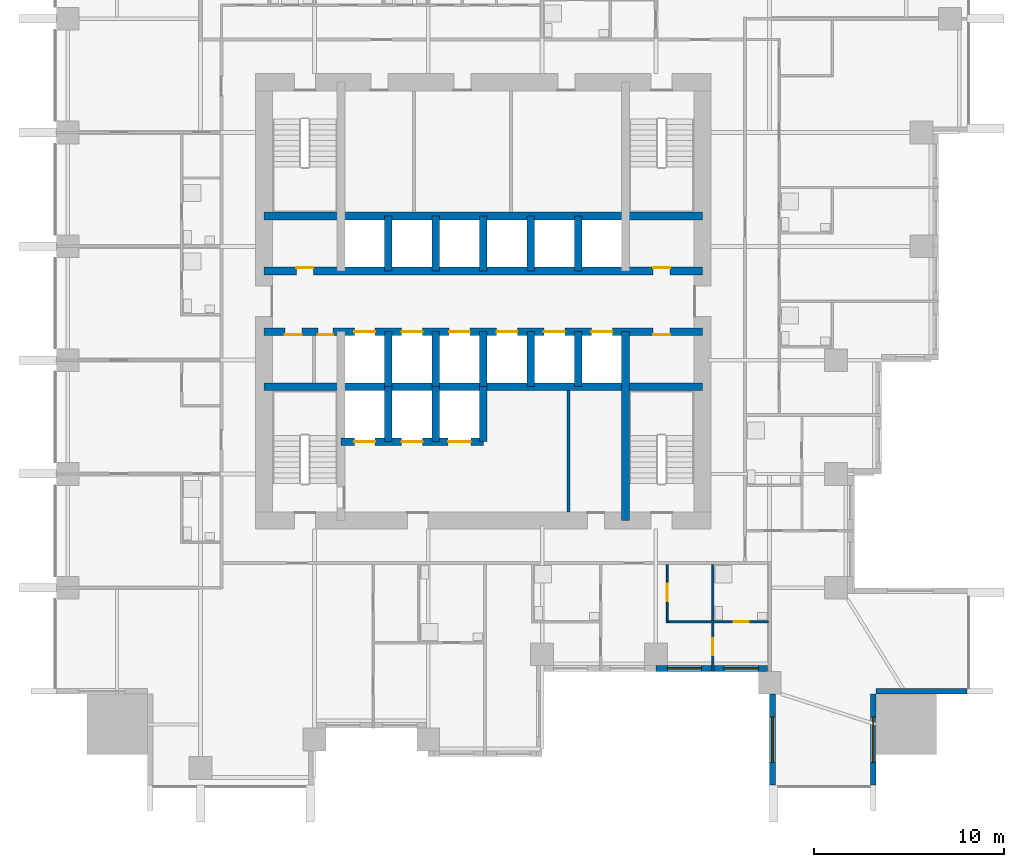
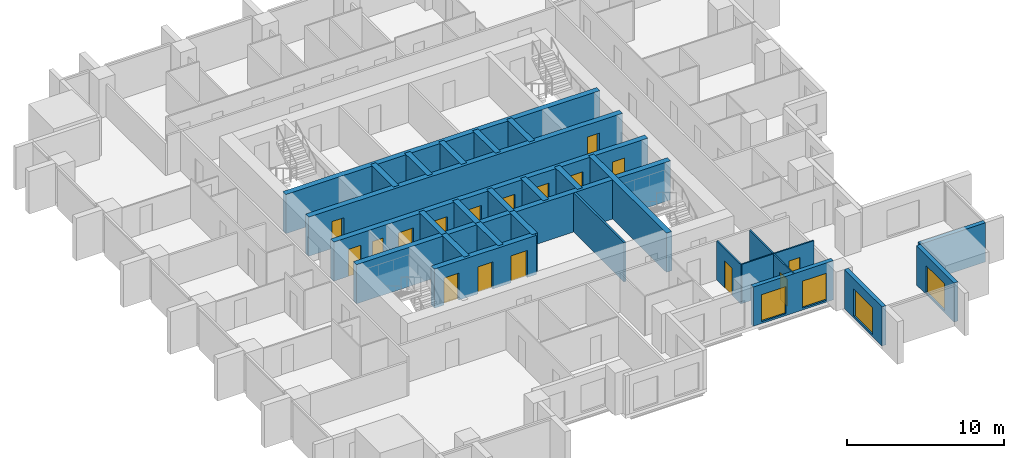
# One storey, part 5 of 10: 27 walls, 17 doors, 4 windows, 21 openings.
"""IFC4 building model written with IfcOpenShell, lengths in metres."""

from ifc_helpers import new_model, si_unit, direction, frame, frame_2d, origin, place, context, subcontext, project, spatial, rectangle, extrude, material, layer, layer_set, type_object, element, fill, save


model = new_model("IFC4")

# Units and contexts
model_context = context("Model", 3, precision=1e-05, world=origin(), true_north=direction((0.0, 1.0)))
body_context = subcontext(model_context, "Body", "Model", "MODEL_VIEW")
ifc_project = project(units=[si_unit("LENGTHUNIT", "METRE"), si_unit("AREAUNIT", "SQUARE_METRE"), si_unit("VOLUMEUNIT", "CUBIC_METRE"), si_unit("PLANEANGLEUNIT", "RADIAN"), si_unit("MASSUNIT", "GRAM", prefix="KILO")], contexts=[model_context])

# Site, building, storey
site_placement = place(None, origin())
site = spatial("IfcSite", under=ifc_project, at=site_placement, CompositionType="ELEMENT")
building_placement = place(site_placement, origin())
building = spatial("IfcBuilding", under=site, at=building_placement, Name="Amberfall Residences", CompositionType="ELEMENT")
storey_placement = place(building_placement, frame((0.0, 0.0, 49.89990234375)))
storey = spatial("IfcBuildingStorey", under=building, at=storey_placement, Name="L13", CompositionType="ELEMENT", Elevation=49.89990234375)

# Wall, opening, window
ifc_material_1 = material(Name="Pale stone cladding on insulated backing", Category="masonry")
ifc_layer_1 = layer(ifc_material_1, 0.300048828125)
ifc_layer_set_1 = layer_set([ifc_layer_1], Name="Bronze clad wall 300")
wall_type_1 = type_object("IfcWallType", Name="Bronze clad wall 300", PredefinedType="SOLIDWALL", material=ifc_layer_set_1)
wall_1_placement = place(storey_placement, frame((89.75, 24.800048828125, 0.0), z_axis=(0.0, 0.0, 1.0), x_axis=(0.0, -1.0, 0.0)))
wall_1 = element("IfcWall", 1, at=wall_1_placement, inside=storey, type_object=wall_type_1, Name="External wall L13 S", PredefinedType="SOLIDWALL", context=body_context, shape_type="SweptSolid", body=[
    extrude(rectangle(XDim=4.800048828125, YDim=0.300048828125, at=frame_2d((2.39990234375, 0.0))), origin(), (0.0, 0.0, 1.0), 3.050048828125),
])
opening_1_placement = place(wall_1_placement, frame((1.199951171875, 0.0, 0.14990234375)))
opening_1 = element("IfcOpeningElement", 2, at=opening_1_placement, cuts=wall_1, Name="Opening WN5", PredefinedType="OPENING", context=body_context, shape_type="SweptSolid", body=[
    extrude(rectangle(XDim=2.39990234375, YDim=2.10009765625, at=frame_2d((1.199951171875, 1.050048828125))), frame((0.0, 0.159912109375, 0.0), z_axis=(0.0, -1.0, 0.0), x_axis=(1.0, 0.0, 0.0)), (0.0, 0.0, 1.0), 0.320068359375),
])
ifc_material_2 = material(Name="Bronze aluminium framed glazing", Category="aluminium")
window_type_1 = type_object("IfcWindowType", Name="Glazed opening 2400 x 2100 bronze", PartitioningType="DOUBLE_PANEL_VERTICAL", PredefinedType="WINDOW", material=ifc_material_2)
window_1_placement = place(opening_1_placement, origin())
window_1 = element("IfcWindow", 3, at=window_1_placement, inside=storey, type_object=window_type_1, Name="Window L13 S", OverallHeight=2.10009765625, OverallWidth=2.39990234375, PartitioningType="DOUBLE_PANEL_VERTICAL", PredefinedType="WINDOW", context=body_context, shape_type="SweptSolid", body=[
    extrude(rectangle(XDim=2.39990234375, YDim=2.10009765625, at=frame_2d((1.199951171875, 1.050048828125))), frame((0.0, 0.030029296875, 0.0), z_axis=(0.0, -1.0, 0.0), x_axis=(1.0, 0.0, 0.0)), (0.0, 0.0, 1.0), 0.06005859375),
])
fill(opening_1, window_1)

wall_2_placement = place(storey_placement, frame((95.050048828125, 20.0, 0.0), z_axis=(0.0, 0.0, 1.0), x_axis=(0.0, 1.0, 0.0)))
wall_2 = element("IfcWall", 4, at=wall_2_placement, inside=storey, type_object=wall_type_1, Name="External wall L13 SE", PredefinedType="SOLIDWALL", context=body_context, shape_type="SweptSolid", body=[
    extrude(rectangle(XDim=4.800048828125, YDim=0.300048828125, at=frame_2d((2.39990234375, 0.0))), origin(), (0.0, 0.0, 1.0), 3.050048828125),
])
opening_2_placement = place(wall_2_placement, frame((1.199951171875, 0.0, 0.14990234375)))
opening_2 = element("IfcOpeningElement", 5, at=opening_2_placement, cuts=wall_2, Name="Opening WN5", PredefinedType="OPENING", context=body_context, shape_type="SweptSolid", body=[
    extrude(rectangle(XDim=2.39990234375, YDim=2.10009765625, at=frame_2d((1.199951171875, 1.050048828125))), frame((0.0, 0.159912109375, 0.0), z_axis=(0.0, -1.0, 0.0), x_axis=(1.0, 0.0, 0.0)), (0.0, 0.0, 1.0), 0.320068359375),
])
window_2_placement = place(opening_2_placement, origin())
window_2 = element("IfcWindow", 6, at=window_2_placement, inside=storey, type_object=window_type_1, Name="Window L13 SE", OverallHeight=2.10009765625, OverallWidth=2.39990234375, PartitioningType="DOUBLE_PANEL_VERTICAL", PredefinedType="WINDOW", context=body_context, shape_type="SweptSolid", body=[
    extrude(rectangle(XDim=2.39990234375, YDim=2.10009765625, at=frame_2d((1.199951171875, 1.050048828125))), frame((0.0, 0.030029296875, 0.0), z_axis=(0.0, -1.0, 0.0), x_axis=(1.0, 0.0, 0.0)), (0.0, 0.0, 1.0), 0.06005859375),
])
fill(opening_2, window_2)

# Wall
wall_3_placement = place(storey_placement, frame((95.199951171875, 24.949951171875, 0.0), z_axis=(0.0, 0.0, 1.0), x_axis=(1.0, 0.0, 0.0)))
element("IfcWall", 7, at=wall_3_placement, inside=storey, type_object=wall_type_1, Name="External wall L13 SE", PredefinedType="SOLIDWALL", context=body_context, shape_type="SweptSolid", body=[
    extrude(rectangle(XDim=4.800048828125, YDim=0.300048828125, at=frame_2d((2.39990234375, 0.0))), origin(), (0.0, 0.0, 1.0), 3.050048828125),
])

# Wall, openings, windows
wall_4_placement = place(storey_placement, frame((83.60009765625, 26.14990234375, 0.0), z_axis=(0.0, 0.0, 1.0), x_axis=(1.0, 0.0, 0.0)))
wall_4 = element("IfcWall", 8, at=wall_4_placement, inside=storey, type_object=wall_type_1, Name="Stone wall L13 S", PredefinedType="SOLIDWALL", context=body_context, shape_type="SweptSolid", body=[
    extrude(rectangle(XDim=5.889892578125, YDim=0.300048828125, at=frame_2d((2.94482421875, 0.0))), origin(), (0.0, 0.0, 1.0), 3.050048828125),
])
opening_3_placement = place(wall_4_placement, frame((0.60009765625, 0.0, 0.14990234375)))
opening_3 = element("IfcOpeningElement", 9, at=opening_3_placement, cuts=wall_4, Name="Opening WN6", PredefinedType="OPENING", context=body_context, shape_type="SweptSolid", body=[
    extrude(rectangle(XDim=1.800048828125, YDim=2.10009765625, at=frame_2d((0.89990234375, 1.050048828125))), frame((0.0, 0.159912109375, 0.0), z_axis=(0.0, -1.0, 0.0), x_axis=(1.0, 0.0, 0.0)), (0.0, 0.0, 1.0), 0.320068359375),
])
opening_4_placement = place(wall_4_placement, frame((3.60009765625, 0.0, 0.14990234375)))
opening_4 = element("IfcOpeningElement", 10, at=opening_4_placement, cuts=wall_4, Name="Opening WN6", PredefinedType="OPENING", context=body_context, shape_type="SweptSolid", body=[
    extrude(rectangle(XDim=1.800048828125, YDim=2.10009765625, at=frame_2d((0.89990234375, 1.050048828125))), frame((0.0, 0.159912109375, 0.0), z_axis=(0.0, -1.0, 0.0), x_axis=(1.0, 0.0, 0.0)), (0.0, 0.0, 1.0), 0.320068359375),
])
window_type_2 = type_object("IfcWindowType", Name="Glazed opening 1800 x 2100 bronze", PartitioningType="DOUBLE_PANEL_VERTICAL", PredefinedType="WINDOW", material=ifc_material_2)
window_3_placement = place(opening_3_placement, origin())
window_3 = element("IfcWindow", 11, at=window_3_placement, inside=storey, type_object=window_type_2, Name="Window L13 S", OverallHeight=2.10009765625, OverallWidth=1.800048828125, PartitioningType="DOUBLE_PANEL_VERTICAL", PredefinedType="WINDOW", context=body_context, shape_type="SweptSolid", body=[
    extrude(rectangle(XDim=1.800048828125, YDim=2.10009765625, at=frame_2d((0.89990234375, 1.050048828125))), frame((0.0, 0.030029296875, 0.0), z_axis=(0.0, -1.0, 0.0), x_axis=(1.0, 0.0, 0.0)), (0.0, 0.0, 1.0), 0.06005859375),
])
fill(opening_3, window_3)
window_4_placement = place(opening_4_placement, origin())
window_4 = element("IfcWindow", 12, at=window_4_placement, inside=storey, type_object=window_type_2, Name="Window L13 S", OverallHeight=2.10009765625, OverallWidth=1.800048828125, PartitioningType="DOUBLE_PANEL_VERTICAL", PredefinedType="WINDOW", context=body_context, shape_type="SweptSolid", body=[
    extrude(rectangle(XDim=1.800048828125, YDim=2.10009765625, at=frame_2d((0.89990234375, 1.050048828125))), frame((0.0, 0.030029296875, 0.0), z_axis=(0.0, -1.0, 0.0), x_axis=(1.0, 0.0, 0.0)), (0.0, 0.0, 1.0), 0.06005859375),
])
fill(opening_4, window_4)

# Wall
ifc_material_3 = material(Name="Concrete C80", Category="concrete")
ifc_layer_2 = layer(ifc_material_3, 0.39990234375)
ifc_layer_set_2 = layer_set([ifc_layer_2], Name="Core wall 400 C80")
wall_type_2 = type_object("IfcWallType", Name="Core wall 400 C80", PredefinedType="SHEAR", material=ifc_layer_set_2)
wall_5_placement = place(storey_placement, frame((62.949951171875, 41.0, 0.0), z_axis=(0.0, 0.0, 1.0), x_axis=(1.0, 0.0, 0.0)))
element("IfcWall", 13, at=wall_5_placement, inside=storey, type_object=wall_type_2, Name="Core wall RW2 L13 H75", PredefinedType="SHEAR", context=body_context, shape_type="SweptSolid", body=[
    extrude(rectangle(XDim=23.10009765625, YDim=0.39990234375, at=frame_2d((11.550048828125, 0.0))), origin(), (0.0, 0.0, 1.0), 3.050048828125),
])

# Wall, openings, doors
wall_6_placement = place(storey_placement, frame((62.949951171875, 43.89990234375, 0.0), z_axis=(0.0, 0.0, 1.0), x_axis=(1.0, 0.0, 0.0)))
wall_6 = element("IfcWall", 14, at=wall_6_placement, inside=storey, type_object=wall_type_2, Name="Core wall RW2 L13 H104", PredefinedType="SHEAR", context=body_context, shape_type="SweptSolid", body=[
    extrude(rectangle(XDim=23.10009765625, YDim=0.39990234375, at=frame_2d((11.550048828125, 0.0))), origin(), (0.0, 0.0, 1.0), 3.050048828125),
])
opening_5_placement = place(wall_6_placement, frame((1.087890625, 0.0, 0.0)))
opening_5 = element("IfcOpeningElement", 15, at=opening_5_placement, cuts=wall_6, Name="Opening RD1", PredefinedType="OPENING", context=body_context, shape_type="SweptSolid", body=[
    extrude(rectangle(XDim=0.89990234375, YDim=2.10009765625, at=frame_2d((0.449951171875, 1.050048828125))), frame((0.0, 0.2099609375, 0.0), z_axis=(0.0, -1.0, 0.0), x_axis=(1.0, 0.0, 0.0)), (0.0, 0.0, 1.0), 0.419921875),
])
opening_6_placement = place(wall_6_placement, frame((2.837890625, 0.0, 0.0)))
opening_6 = element("IfcOpeningElement", 16, at=opening_6_placement, cuts=wall_6, Name="Opening RD2", PredefinedType="OPENING", context=body_context, shape_type="SweptSolid", body=[
    extrude(rectangle(XDim=0.800048828125, YDim=2.10009765625, at=frame_2d((0.39990234375, 1.050048828125))), frame((0.0, 0.2099609375, 0.0), z_axis=(0.0, -1.0, 0.0), x_axis=(1.0, 0.0, 0.0)), (0.0, 0.0, 1.0), 0.419921875),
])
opening_7_placement = place(wall_6_placement, frame((20.5, 0.0, 0.0)))
opening_7 = element("IfcOpeningElement", 17, at=opening_7_placement, cuts=wall_6, Name="Opening RD1", PredefinedType="OPENING", context=body_context, shape_type="SweptSolid", body=[
    extrude(rectangle(XDim=0.89990234375, YDim=2.10009765625, at=frame_2d((0.449951171875, 1.050048828125))), frame((0.0, 0.2099609375, 0.0), z_axis=(0.0, -1.0, 0.0), x_axis=(1.0, 0.0, 0.0)), (0.0, 0.0, 1.0), 0.419921875),
])
opening_8_placement = place(wall_6_placement, frame((4.75, 0.0, 0.0)))
opening_8 = element("IfcOpeningElement", 18, at=opening_8_placement, cuts=wall_6, Name="Opening LD1", PredefinedType="OPENING", context=body_context, shape_type="SweptSolid", body=[
    extrude(rectangle(XDim=1.10009765625, YDim=2.10009765625, at=frame_2d((0.550048828125, 1.050048828125))), frame((0.0, 0.2099609375, 0.0), z_axis=(0.0, -1.0, 0.0), x_axis=(1.0, 0.0, 0.0)), (0.0, 0.0, 1.0), 0.419921875),
])
opening_9_placement = place(wall_6_placement, frame((7.25, 0.0, 0.0)))
opening_9 = element("IfcOpeningElement", 19, at=opening_9_placement, cuts=wall_6, Name="Opening LD1", PredefinedType="OPENING", context=body_context, shape_type="SweptSolid", body=[
    extrude(rectangle(XDim=1.10009765625, YDim=2.10009765625, at=frame_2d((0.550048828125, 1.050048828125))), frame((0.0, 0.2099609375, 0.0), z_axis=(0.0, -1.0, 0.0), x_axis=(1.0, 0.0, 0.0)), (0.0, 0.0, 1.0), 0.419921875),
])
opening_10_placement = place(wall_6_placement, frame((9.75, 0.0, 0.0)))
opening_10 = element("IfcOpeningElement", 20, at=opening_10_placement, cuts=wall_6, Name="Opening LD1", PredefinedType="OPENING", context=body_context, shape_type="SweptSolid", body=[
    extrude(rectangle(XDim=1.10009765625, YDim=2.10009765625, at=frame_2d((0.550048828125, 1.050048828125))), frame((0.0, 0.2099609375, 0.0), z_axis=(0.0, -1.0, 0.0), x_axis=(1.0, 0.0, 0.0)), (0.0, 0.0, 1.0), 0.419921875),
])
opening_11_placement = place(wall_6_placement, frame((12.25, 0.0, 0.0)))
opening_11 = element("IfcOpeningElement", 21, at=opening_11_placement, cuts=wall_6, Name="Opening LD1", PredefinedType="OPENING", context=body_context, shape_type="SweptSolid", body=[
    extrude(rectangle(XDim=1.10009765625, YDim=2.10009765625, at=frame_2d((0.550048828125, 1.050048828125))), frame((0.0, 0.2099609375, 0.0), z_axis=(0.0, -1.0, 0.0), x_axis=(1.0, 0.0, 0.0)), (0.0, 0.0, 1.0), 0.419921875),
])
opening_12_placement = place(wall_6_placement, frame((14.75, 0.0, 0.0)))
opening_12 = element("IfcOpeningElement", 22, at=opening_12_placement, cuts=wall_6, Name="Opening LD1", PredefinedType="OPENING", context=body_context, shape_type="SweptSolid", body=[
    extrude(rectangle(XDim=1.10009765625, YDim=2.10009765625, at=frame_2d((0.550048828125, 1.050048828125))), frame((0.0, 0.2099609375, 0.0), z_axis=(0.0, -1.0, 0.0), x_axis=(1.0, 0.0, 0.0)), (0.0, 0.0, 1.0), 0.419921875),
])
opening_13_placement = place(wall_6_placement, frame((17.25, 0.0, 0.0)))
opening_13 = element("IfcOpeningElement", 23, at=opening_13_placement, cuts=wall_6, Name="Opening LD1", PredefinedType="OPENING", context=body_context, shape_type="SweptSolid", body=[
    extrude(rectangle(XDim=1.10009765625, YDim=2.10009765625, at=frame_2d((0.550048828125, 1.050048828125))), frame((0.0, 0.2099609375, 0.0), z_axis=(0.0, -1.0, 0.0), x_axis=(1.0, 0.0, 0.0)), (0.0, 0.0, 1.0), 0.419921875),
])
ifc_material_4 = material(Name="Steel fire door set", Category="steel")
door_type_1 = type_object("IfcDoorType", Name="Lift landing door 1100 x 2100", OperationType="DOUBLE_DOOR_SLIDING", PredefinedType="DOOR", material=ifc_material_4)
door_1_placement = place(opening_8_placement, origin())
door_1 = element("IfcDoor", 24, at=door_1_placement, inside=storey, type_object=door_type_1, Name="Landing door LP1 L13", OperationType="DOUBLE_DOOR_SLIDING", OverallHeight=2.10009765625, OverallWidth=1.10009765625, PredefinedType="DOOR", context=body_context, shape_type="SweptSolid", body=[
    extrude(rectangle(XDim=1.10009765625, YDim=2.10009765625, at=frame_2d((0.550048828125, 1.050048828125))), frame((0.0, 0.02490234375, 0.0), z_axis=(0.0, -1.0, 0.0), x_axis=(1.0, 0.0, 0.0)), (0.0, 0.0, 1.0), 0.050048828125),
])
fill(opening_8, door_1)
door_2_placement = place(opening_9_placement, origin())
door_2 = element("IfcDoor", 25, at=door_2_placement, inside=storey, type_object=door_type_1, Name="Landing door LP2 L13", OperationType="DOUBLE_DOOR_SLIDING", OverallHeight=2.10009765625, OverallWidth=1.10009765625, PredefinedType="DOOR", context=body_context, shape_type="SweptSolid", body=[
    extrude(rectangle(XDim=1.10009765625, YDim=2.10009765625, at=frame_2d((0.550048828125, 1.050048828125))), frame((0.0, 0.02490234375, 0.0), z_axis=(0.0, -1.0, 0.0), x_axis=(1.0, 0.0, 0.0)), (0.0, 0.0, 1.0), 0.050048828125),
])
fill(opening_9, door_2)
door_3_placement = place(opening_10_placement, origin())
door_3 = element("IfcDoor", 26, at=door_3_placement, inside=storey, type_object=door_type_1, Name="Landing door LP3 L13", OperationType="DOUBLE_DOOR_SLIDING", OverallHeight=2.10009765625, OverallWidth=1.10009765625, PredefinedType="DOOR", context=body_context, shape_type="SweptSolid", body=[
    extrude(rectangle(XDim=1.10009765625, YDim=2.10009765625, at=frame_2d((0.550048828125, 1.050048828125))), frame((0.0, 0.02490234375, 0.0), z_axis=(0.0, -1.0, 0.0), x_axis=(1.0, 0.0, 0.0)), (0.0, 0.0, 1.0), 0.050048828125),
])
fill(opening_10, door_3)
door_4_placement = place(opening_11_placement, origin())
door_4 = element("IfcDoor", 27, at=door_4_placement, inside=storey, type_object=door_type_1, Name="Landing door LP4 L13", OperationType="DOUBLE_DOOR_SLIDING", OverallHeight=2.10009765625, OverallWidth=1.10009765625, PredefinedType="DOOR", context=body_context, shape_type="SweptSolid", body=[
    extrude(rectangle(XDim=1.10009765625, YDim=2.10009765625, at=frame_2d((0.550048828125, 1.050048828125))), frame((0.0, 0.02490234375, 0.0), z_axis=(0.0, -1.0, 0.0), x_axis=(1.0, 0.0, 0.0)), (0.0, 0.0, 1.0), 0.050048828125),
])
fill(opening_11, door_4)
door_5_placement = place(opening_12_placement, origin())
door_5 = element("IfcDoor", 28, at=door_5_placement, inside=storey, type_object=door_type_1, Name="Landing door LP5 L13", OperationType="DOUBLE_DOOR_SLIDING", OverallHeight=2.10009765625, OverallWidth=1.10009765625, PredefinedType="DOOR", context=body_context, shape_type="SweptSolid", body=[
    extrude(rectangle(XDim=1.10009765625, YDim=2.10009765625, at=frame_2d((0.550048828125, 1.050048828125))), frame((0.0, 0.02490234375, 0.0), z_axis=(0.0, -1.0, 0.0), x_axis=(1.0, 0.0, 0.0)), (0.0, 0.0, 1.0), 0.050048828125),
])
fill(opening_12, door_5)
door_6_placement = place(opening_13_placement, origin())
door_6 = element("IfcDoor", 29, at=door_6_placement, inside=storey, type_object=door_type_1, Name="Landing door LP6 L13", OperationType="DOUBLE_DOOR_SLIDING", OverallHeight=2.10009765625, OverallWidth=1.10009765625, PredefinedType="DOOR", context=body_context, shape_type="SweptSolid", body=[
    extrude(rectangle(XDim=1.10009765625, YDim=2.10009765625, at=frame_2d((0.550048828125, 1.050048828125))), frame((0.0, 0.02490234375, 0.0), z_axis=(0.0, -1.0, 0.0), x_axis=(1.0, 0.0, 0.0)), (0.0, 0.0, 1.0), 0.050048828125),
])
fill(opening_13, door_6)
door_type_2 = type_object("IfcDoorType", Name="Service room door 800 x 2100", OperationType="SINGLE_SWING_LEFT", PredefinedType="DOOR", material=ifc_material_4)
door_7_placement = place(opening_6_placement, origin())
door_7 = element("IfcDoor", 30, at=door_7_placement, inside=storey, type_object=door_type_2, Name="RD2 L13", OperationType="SINGLE_SWING_RIGHT", OverallHeight=2.10009765625, OverallWidth=0.800048828125, PredefinedType="DOOR", context=body_context, shape_type="SweptSolid", body=[
    extrude(rectangle(XDim=0.800048828125, YDim=2.10009765625, at=frame_2d((0.39990234375, 1.050048828125))), frame((0.0, -0.1376953125, 0.0), z_axis=(0.0, -1.0, 0.0), x_axis=(1.0, 0.0, 0.0)), (0.0, 0.0, 1.0), 0.050048828125),
])
fill(opening_6, door_7)
door_type_3 = type_object("IfcDoorType", Name="Service room door 900 x 2100", OperationType="SINGLE_SWING_LEFT", PredefinedType="DOOR", material=ifc_material_4)
door_8_placement = place(opening_5_placement, origin())
door_8 = element("IfcDoor", 31, at=door_8_placement, inside=storey, type_object=door_type_3, Name="RD1 L13", OperationType="SINGLE_SWING_LEFT", OverallHeight=2.10009765625, OverallWidth=0.89990234375, PredefinedType="DOOR", context=body_context, shape_type="SweptSolid", body=[
    extrude(rectangle(XDim=0.89990234375, YDim=2.10009765625, at=frame_2d((0.449951171875, 1.050048828125))), frame((0.0, -0.1376953125, 0.0), z_axis=(0.0, -1.0, 0.0), x_axis=(1.0, 0.0, 0.0)), (0.0, 0.0, 1.0), 0.050048828125),
])
fill(opening_5, door_8)
door_9_placement = place(opening_7_placement, origin())
door_9 = element("IfcDoor", 32, at=door_9_placement, inside=storey, type_object=door_type_3, Name="RD1 L13", OperationType="SINGLE_SWING_LEFT", OverallHeight=2.10009765625, OverallWidth=0.89990234375, PredefinedType="DOOR", context=body_context, shape_type="SweptSolid", body=[
    extrude(rectangle(XDim=0.89990234375, YDim=2.10009765625, at=frame_2d((0.449951171875, 1.050048828125))), frame((0.0, -0.1376953125, 0.0), z_axis=(0.0, -1.0, 0.0), x_axis=(1.0, 0.0, 0.0)), (0.0, 0.0, 1.0), 0.050048828125),
])
fill(opening_7, door_9)

wall_7_placement = place(storey_placement, frame((62.949951171875, 47.10009765625, 0.0), z_axis=(0.0, 0.0, 1.0), x_axis=(1.0, 0.0, 0.0)))
wall_7 = element("IfcWall", 33, at=wall_7_placement, inside=storey, type_object=wall_type_2, Name="Core wall RW2 L13 H136", PredefinedType="SHEAR", context=body_context, shape_type="SweptSolid", body=[
    extrude(rectangle(XDim=23.10009765625, YDim=0.39990234375, at=frame_2d((11.550048828125, 0.0))), origin(), (0.0, 0.0, 1.0), 3.050048828125),
])
opening_14_placement = place(wall_7_placement, frame((1.699951171875, 0.0, 0.0)))
opening_14 = element("IfcOpeningElement", 34, at=opening_14_placement, cuts=wall_7, Name="Opening RD1", PredefinedType="OPENING", context=body_context, shape_type="SweptSolid", body=[
    extrude(rectangle(XDim=0.89990234375, YDim=2.10009765625, at=frame_2d((0.449951171875, 1.050048828125))), frame((0.0, 0.2099609375, 0.0), z_axis=(0.0, -1.0, 0.0), x_axis=(1.0, 0.0, 0.0)), (0.0, 0.0, 1.0), 0.419921875),
])
opening_15_placement = place(wall_7_placement, frame((20.5, 0.0, 0.0)))
opening_15 = element("IfcOpeningElement", 35, at=opening_15_placement, cuts=wall_7, Name="Opening RD1", PredefinedType="OPENING", context=body_context, shape_type="SweptSolid", body=[
    extrude(rectangle(XDim=0.89990234375, YDim=2.10009765625, at=frame_2d((0.449951171875, 1.050048828125))), frame((0.0, 0.2099609375, 0.0), z_axis=(0.0, -1.0, 0.0), x_axis=(1.0, 0.0, 0.0)), (0.0, 0.0, 1.0), 0.419921875),
])
door_10_placement = place(opening_14_placement, origin())
door_10 = element("IfcDoor", 36, at=door_10_placement, inside=storey, type_object=door_type_3, Name="RD1 L13", OperationType="SINGLE_SWING_LEFT", OverallHeight=2.10009765625, OverallWidth=0.89990234375, PredefinedType="DOOR", context=body_context, shape_type="SweptSolid", body=[
    extrude(rectangle(XDim=0.89990234375, YDim=2.10009765625, at=frame_2d((0.449951171875, 1.050048828125))), frame((0.0, 0.1875, 0.0), z_axis=(0.0, -1.0, 0.0), x_axis=(1.0, 0.0, 0.0)), (0.0, 0.0, 1.0), 0.050048828125),
])
fill(opening_14, door_10)
door_11_placement = place(opening_15_placement, origin())
door_11 = element("IfcDoor", 37, at=door_11_placement, inside=storey, type_object=door_type_3, Name="RD1 L13", OperationType="SINGLE_SWING_LEFT", OverallHeight=2.10009765625, OverallWidth=0.89990234375, PredefinedType="DOOR", context=body_context, shape_type="SweptSolid", body=[
    extrude(rectangle(XDim=0.89990234375, YDim=2.10009765625, at=frame_2d((0.449951171875, 1.050048828125))), frame((0.0, 0.1875, 0.0), z_axis=(0.0, -1.0, 0.0), x_axis=(1.0, 0.0, 0.0)), (0.0, 0.0, 1.0), 0.050048828125),
])
fill(opening_15, door_11)

# Walls
wall_8_placement = place(storey_placement, frame((62.949951171875, 50.0, 0.0), z_axis=(0.0, 0.0, 1.0), x_axis=(1.0, 0.0, 0.0)))
element("IfcWall", 38, at=wall_8_placement, inside=storey, type_object=wall_type_2, Name="Core wall RW2 L13 H165", PredefinedType="SHEAR", context=body_context, shape_type="SweptSolid", body=[
    extrude(rectangle(XDim=23.10009765625, YDim=0.39990234375, at=frame_2d((11.550048828125, 0.0))), origin(), (0.0, 0.0, 1.0), 3.050048828125),
])
wall_9_placement = place(storey_placement, frame((82.0, 33.949951171875, 0.0), z_axis=(0.0, 0.0, 1.0), x_axis=(0.0, 1.0, 0.0)))
element("IfcWall", 39, at=wall_9_placement, inside=storey, type_object=wall_type_2, Name="Core wall RW2 L13 V195S", PredefinedType="SHEAR", context=body_context, shape_type="SweptSolid", body=[
    extrude(rectangle(XDim=9.949951171875, YDim=0.39990234375, at=frame_2d((4.97509765625, 0.0))), origin(), (0.0, 0.0, 1.0), 3.050048828125),
])
for number, where, z_axis, x_axis, name in (
    (40, (69.5, 41.0, 0.0), (0.0, 0.0, 1.0), (0.0, 1.0, 0.0), "Core wall RW2 L13 LPD1"),
    (41, (69.5, 47.10009765625, 0.0), (0.0, 0.0, 1.0), (0.0, 1.0, 0.0), "Core wall RW2 L13 HPD1"),
    (42, (72.0, 41.0, 0.0), (0.0, 0.0, 1.0), (0.0, 1.0, 0.0), "Core wall RW2 L13 LPD2"),
    (43, (72.0, 47.10009765625, 0.0), (0.0, 0.0, 1.0), (0.0, 1.0, 0.0), "Core wall RW2 L13 HPD2"),
    (44, (74.5, 41.0, 0.0), (0.0, 0.0, 1.0), (0.0, 1.0, 0.0), "Core wall RW2 L13 LPD3"),
    (45, (74.5, 47.10009765625, 0.0), (0.0, 0.0, 1.0), (0.0, 1.0, 0.0), "Core wall RW2 L13 HPD3"),
    (46, (77.0, 41.0, 0.0), (0.0, 0.0, 1.0), (0.0, 1.0, 0.0), "Core wall RW2 L13 LPD4"),
    (47, (77.0, 47.10009765625, 0.0), (0.0, 0.0, 1.0), (0.0, 1.0, 0.0), "Core wall RW2 L13 HPD4"),
    (48, (79.5, 41.0, 0.0), (0.0, 0.0, 1.0), (0.0, 1.0, 0.0), "Core wall RW2 L13 LPD5"),
    (49, (79.5, 47.10009765625, 0.0), (0.0, 0.0, 1.0), (0.0, 1.0, 0.0), "Core wall RW2 L13 HPD5"),
):
    element("IfcWall", number, at=place(storey_placement, frame(where, z_axis=z_axis, x_axis=x_axis)), inside=storey, type_object=wall_type_2, Name=name, PredefinedType="SHEAR", context=body_context, shape_type="SweptSolid", body=[
        extrude(rectangle(XDim=2.89990234375, YDim=0.39990234375, at=frame_2d((1.449951171875, 0.0))), origin(), (0.0, 0.0, 1.0), 3.050048828125),
    ])

# Wall, openings, doors
wall_10_placement = place(storey_placement, frame((67.0, 38.10009765625, 0.0), z_axis=(0.0, 0.0, 1.0), x_axis=(1.0, 0.0, 0.0)))
wall_10 = element("IfcWall", 50, at=wall_10_placement, inside=storey, type_object=wall_type_2, Name="Core wall RW2 L13 FFF", PredefinedType="SHEAR", context=body_context, shape_type="SweptSolid", body=[
    extrude(rectangle(XDim=7.5, YDim=0.39990234375, at=frame_2d((3.75, 0.0))), origin(), (0.0, 0.0, 1.0), 3.050048828125),
])
opening_16_placement = place(wall_10_placement, frame((0.699951171875, 0.0, 0.0)))
opening_16 = element("IfcOpeningElement", 51, at=opening_16_placement, cuts=wall_10, Name="Opening LD2", PredefinedType="OPENING", context=body_context, shape_type="SweptSolid", body=[
    extrude(rectangle(XDim=1.10009765625, YDim=2.10009765625, at=frame_2d((0.550048828125, 1.050048828125))), frame((0.0, 0.2099609375, 0.0), z_axis=(0.0, -1.0, 0.0), x_axis=(1.0, 0.0, 0.0)), (0.0, 0.0, 1.0), 0.419921875),
])
opening_17_placement = place(wall_10_placement, frame((3.199951171875, 0.0, 0.0)))
opening_17 = element("IfcOpeningElement", 52, at=opening_17_placement, cuts=wall_10, Name="Opening LD2", PredefinedType="OPENING", context=body_context, shape_type="SweptSolid", body=[
    extrude(rectangle(XDim=1.10009765625, YDim=2.10009765625, at=frame_2d((0.550048828125, 1.050048828125))), frame((0.0, 0.2099609375, 0.0), z_axis=(0.0, -1.0, 0.0), x_axis=(1.0, 0.0, 0.0)), (0.0, 0.0, 1.0), 0.419921875),
])
opening_18_placement = place(wall_10_placement, frame((5.64990234375, 0.0, 0.0)))
opening_18 = element("IfcOpeningElement", 53, at=opening_18_placement, cuts=wall_10, Name="Opening LD3", PredefinedType="OPENING", context=body_context, shape_type="SweptSolid", body=[
    extrude(rectangle(XDim=1.199951171875, YDim=2.10009765625, at=frame_2d((0.60009765625, 1.050048828125))), frame((0.0, 0.2099609375, 0.0), z_axis=(0.0, -1.0, 0.0), x_axis=(1.0, 0.0, 0.0)), (0.0, 0.0, 1.0), 0.419921875),
])
door_type_4 = type_object("IfcDoorType", Name="Firefighting lift landing door 1100 x 2100", OperationType="DOUBLE_DOOR_SLIDING", PredefinedType="DOOR", material=ifc_material_4)
door_12_placement = place(opening_16_placement, origin())
door_12 = element("IfcDoor", 54, at=door_12_placement, inside=storey, type_object=door_type_4, Name="Landing door FF1 L13", OperationType="DOUBLE_DOOR_SLIDING", OverallHeight=2.10009765625, OverallWidth=1.10009765625, PredefinedType="DOOR", context=body_context, shape_type="SweptSolid", body=[
    extrude(rectangle(XDim=1.10009765625, YDim=2.10009765625, at=frame_2d((0.550048828125, 1.050048828125))), frame((0.0, 0.02490234375, 0.0), z_axis=(0.0, -1.0, 0.0), x_axis=(1.0, 0.0, 0.0)), (0.0, 0.0, 1.0), 0.050048828125),
])
fill(opening_16, door_12)
door_13_placement = place(opening_17_placement, origin())
door_13 = element("IfcDoor", 55, at=door_13_placement, inside=storey, type_object=door_type_4, Name="Landing door FF2 L13", OperationType="DOUBLE_DOOR_SLIDING", OverallHeight=2.10009765625, OverallWidth=1.10009765625, PredefinedType="DOOR", context=body_context, shape_type="SweptSolid", body=[
    extrude(rectangle(XDim=1.10009765625, YDim=2.10009765625, at=frame_2d((0.550048828125, 1.050048828125))), frame((0.0, 0.02490234375, 0.0), z_axis=(0.0, -1.0, 0.0), x_axis=(1.0, 0.0, 0.0)), (0.0, 0.0, 1.0), 0.050048828125),
])
fill(opening_17, door_13)
door_type_5 = type_object("IfcDoorType", Name="Service lift landing door 1200 x 2100", OperationType="DOUBLE_DOOR_SLIDING", PredefinedType="DOOR", material=ifc_material_4)
door_14_placement = place(opening_18_placement, origin())
door_14 = element("IfcDoor", 56, at=door_14_placement, inside=storey, type_object=door_type_5, Name="Landing door SL1 L13", OperationType="DOUBLE_DOOR_SLIDING", OverallHeight=2.10009765625, OverallWidth=1.199951171875, PredefinedType="DOOR", context=body_context, shape_type="SweptSolid", body=[
    extrude(rectangle(XDim=1.199951171875, YDim=2.10009765625, at=frame_2d((0.60009765625, 1.050048828125))), frame((0.0, 0.02490234375, 0.0), z_axis=(0.0, -1.0, 0.0), x_axis=(1.0, 0.0, 0.0)), (0.0, 0.0, 1.0), 0.050048828125),
])
fill(opening_18, door_14)

# Walls
for number, where, z_axis, x_axis, name in (
    (57, (69.5, 38.10009765625, 0.0), (0.0, 0.0, 1.0), (0.0, 1.0, 0.0), "Core wall RW2 L13 FFD1"),
    (58, (72.0, 38.10009765625, 0.0), (0.0, 0.0, 1.0), (0.0, 1.0, 0.0), "Core wall RW2 L13 FFD2"),
    (59, (74.5, 38.10009765625, 0.0), (0.0, 0.0, 1.0), (0.0, 1.0, 0.0), "Core wall RW2 L13 FFD3"),
):
    element("IfcWall", number, at=place(storey_placement, frame(where, z_axis=z_axis, x_axis=x_axis)), inside=storey, type_object=wall_type_2, Name=name, PredefinedType="SHEAR", context=body_context, shape_type="SweptSolid", body=[
        extrude(rectangle(XDim=2.89990234375, YDim=0.39990234375, at=frame_2d((1.449951171875, 0.0))), origin(), (0.0, 0.0, 1.0), 3.050048828125),
    ])

# Wall, opening, door
ifc_material_5 = material(Name="Gypsum board on metal stud")
ifc_layer_3 = layer(ifc_material_5, 0.10009765625)
ifc_layer_set_3 = layer_set([ifc_layer_3], Name="Flat partition 100")
wall_type_3 = type_object("IfcWallType", Name="Flat partition 100", PredefinedType="PARTITIONING", material=ifc_layer_set_3)
wall_11_placement = place(storey_placement, frame((84.199951171875, 31.625, 0.0), z_axis=(0.0, 0.0, 1.0), x_axis=(0.0, -1.0, 0.0)))
wall_11 = element("IfcWall", 60, at=wall_11_placement, inside=storey, type_object=wall_type_3, Name="Partition 017", PredefinedType="PARTITIONING", context=body_context, shape_type="SweptSolid", body=[
    extrude(rectangle(XDim=3.074951171875, YDim=0.10009765625, at=frame_2d((1.53759765625, 0.0))), origin(), (0.0, 0.0, 1.0), 3.050048828125),
])
opening_19_placement = place(wall_11_placement, frame((1.02490234375, 0.0, 0.0)))
opening_19 = element("IfcOpeningElement", 61, at=opening_19_placement, cuts=wall_11, Name="Opening D41", PredefinedType="OPENING", context=body_context, shape_type="SweptSolid", body=[
    extrude(rectangle(XDim=0.89990234375, YDim=2.10009765625, at=frame_2d((0.449951171875, 1.050048828125))), frame((0.0, 0.06005859375, 0.0), z_axis=(0.0, -1.0, 0.0), x_axis=(1.0, 0.0, 0.0)), (0.0, 0.0, 1.0), 0.1201171875),
])
ifc_material_6 = material(Name="Timber", Category="wood")
door_type_6 = type_object("IfcDoorType", Name="Internal door 900 x 2100", OperationType="SINGLE_SWING_LEFT", PredefinedType="DOOR", material=ifc_material_6)
door_15_placement = place(opening_19_placement, origin())
door_15 = element("IfcDoor", 62, at=door_15_placement, inside=storey, type_object=door_type_6, Name="Door 1302 kitchen", OperationType="SINGLE_SWING_LEFT", OverallHeight=2.10009765625, OverallWidth=0.89990234375, PredefinedType="DOOR", context=body_context, shape_type="SweptSolid", body=[
    extrude(rectangle(XDim=0.89990234375, YDim=2.10009765625, at=frame_2d((0.449951171875, 1.050048828125))), frame((0.0, 0.02490234375, 0.0), z_axis=(0.0, -1.0, 0.0), x_axis=(1.0, 0.0, 0.0)), (0.0, 0.0, 1.0), 0.050048828125),
])
fill(opening_19, door_15)

wall_12_placement = place(storey_placement, frame((86.60009765625, 31.625, 0.0), z_axis=(0.0, 0.0, 1.0), x_axis=(0.0, -1.0, 0.0)))
wall_12 = element("IfcWall", 63, at=wall_12_placement, inside=storey, type_object=wall_type_3, Name="Partition 018", PredefinedType="PARTITIONING", context=body_context, shape_type="SweptSolid", body=[
    extrude(rectangle(XDim=5.625, YDim=0.10009765625, at=frame_2d((2.8125, 0.0))), origin(), (0.0, 0.0, 1.0), 3.050048828125),
])
opening_20_placement = place(wall_12_placement, frame((3.875, 0.0, 0.0)))
opening_20 = element("IfcOpeningElement", 64, at=opening_20_placement, cuts=wall_12, Name="Opening D41", PredefinedType="OPENING", context=body_context, shape_type="SweptSolid", body=[
    extrude(rectangle(XDim=0.89990234375, YDim=2.10009765625, at=frame_2d((0.449951171875, 1.050048828125))), frame((0.0, 0.06005859375, 0.0), z_axis=(0.0, -1.0, 0.0), x_axis=(1.0, 0.0, 0.0)), (0.0, 0.0, 1.0), 0.1201171875),
])
door_16_placement = place(opening_20_placement, origin())
door_16 = element("IfcDoor", 65, at=door_16_placement, inside=storey, type_object=door_type_6, Name="Door 1302 bedroom2", OperationType="SINGLE_SWING_LEFT", OverallHeight=2.10009765625, OverallWidth=0.89990234375, PredefinedType="DOOR", context=body_context, shape_type="SweptSolid", body=[
    extrude(rectangle(XDim=0.89990234375, YDim=2.10009765625, at=frame_2d((0.449951171875, 1.050048828125))), frame((0.0, 0.02490234375, 0.0), z_axis=(0.0, -1.0, 0.0), x_axis=(1.0, 0.0, 0.0)), (0.0, 0.0, 1.0), 0.050048828125),
])
fill(opening_20, door_16)

wall_13_placement = place(storey_placement, frame((84.25, 28.60009765625, 0.0), z_axis=(0.0, 0.0, 1.0), x_axis=(1.0, 0.0, 0.0)))
wall_13 = element("IfcWall", 66, at=wall_13_placement, inside=storey, type_object=wall_type_3, Name="Partition 045", PredefinedType="PARTITIONING", context=body_context, shape_type="SweptSolid", body=[
    extrude(rectangle(XDim=5.27490234375, YDim=0.10009765625, at=frame_2d((2.637451171875, 0.0))), origin(), (0.0, 0.0, 1.0), 3.050048828125),
])
opening_21_placement = place(wall_13_placement, frame((3.449951171875, 0.0, 0.0)))
opening_21 = element("IfcOpeningElement", 67, at=opening_21_placement, cuts=wall_13, Name="Opening D42", PredefinedType="OPENING", context=body_context, shape_type="SweptSolid", body=[
    extrude(rectangle(XDim=0.800048828125, YDim=2.10009765625, at=frame_2d((0.39990234375, 1.050048828125))), frame((0.0, 0.06005859375, 0.0), z_axis=(0.0, -1.0, 0.0), x_axis=(1.0, 0.0, 0.0)), (0.0, 0.0, 1.0), 0.1201171875),
])
door_type_7 = type_object("IfcDoorType", Name="Bathroom door 800 x 2100", OperationType="SINGLE_SWING_LEFT", PredefinedType="DOOR", material=ifc_material_6)
door_17_placement = place(opening_21_placement, origin())
door_17 = element("IfcDoor", 68, at=door_17_placement, inside=storey, type_object=door_type_7, Name="Door 1302 bath2", OperationType="SINGLE_SWING_LEFT", OverallHeight=2.10009765625, OverallWidth=0.800048828125, PredefinedType="DOOR", context=body_context, shape_type="SweptSolid", body=[
    extrude(rectangle(XDim=0.800048828125, YDim=2.10009765625, at=frame_2d((0.39990234375, 1.050048828125))), frame((0.0, 0.02490234375, 0.0), z_axis=(0.0, -1.0, 0.0), x_axis=(1.0, 0.0, 0.0)), (0.0, 0.0, 1.0), 0.050048828125),
])
fill(opening_21, door_17)

# Wall
ifc_material_7 = material(Name="Concrete blockwork", Category="masonry")
ifc_layer_4 = layer(ifc_material_7, 0.14990234375)
ifc_layer_set_4 = layer_set([ifc_layer_4], Name="Riser wall 150")
wall_type_4 = type_object("IfcWallType", Name="Riser wall 150", PredefinedType="PLUMBINGWALL", material=ifc_layer_set_4)
wall_14_placement = place(storey_placement, frame((79.0, 34.39990234375, 0.0), z_axis=(0.0, 0.0, 1.0), x_axis=(0.0, 1.0, 0.0)))
element("IfcWall", 69, at=wall_14_placement, inside=storey, type_object=wall_type_4, Name="L13 core wall PX", PredefinedType="PLUMBINGWALL", context=body_context, shape_type="SweptSolid", body=[
    extrude(rectangle(XDim=6.400146484375, YDim=0.14990234375, at=frame_2d((3.2001953125, 0.0))), origin(), (0.0, 0.0, 1.0), 3.050048828125),
])

save(model, "model.ifc")
